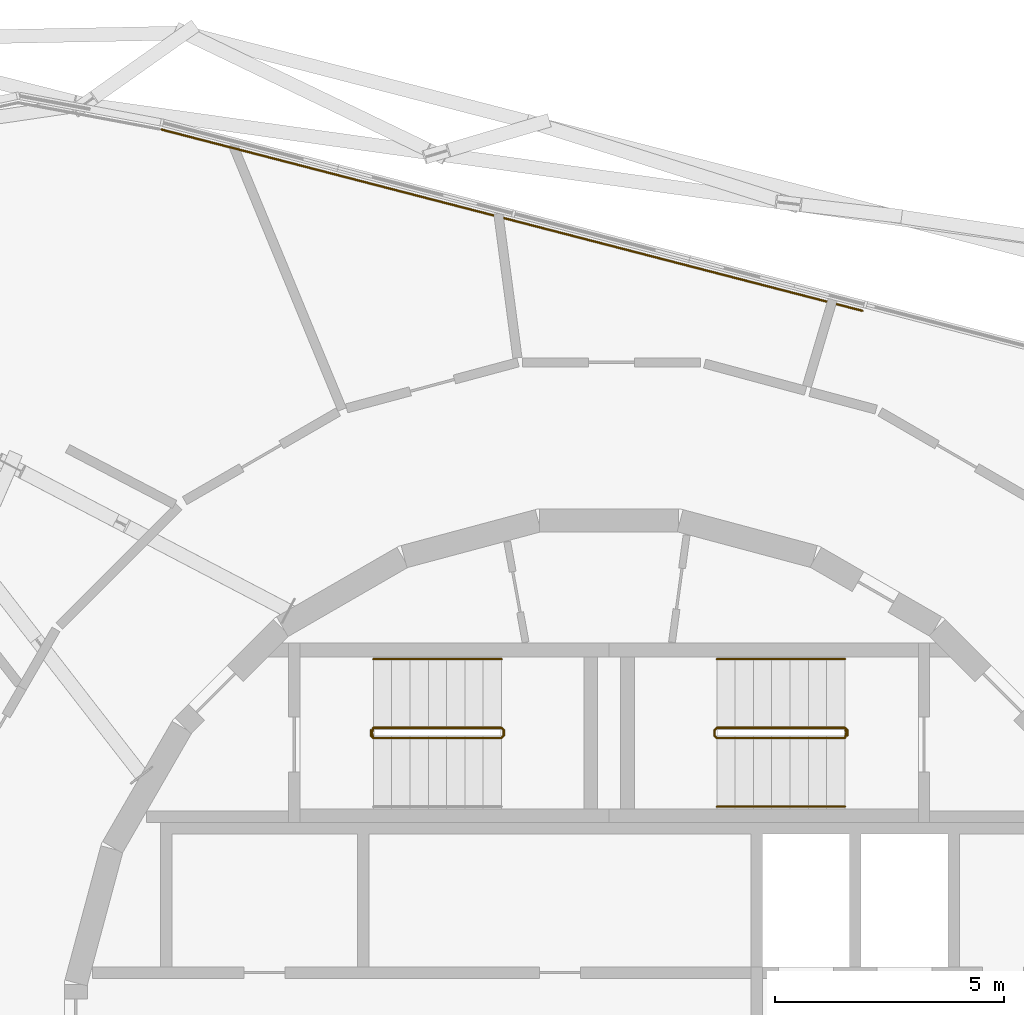
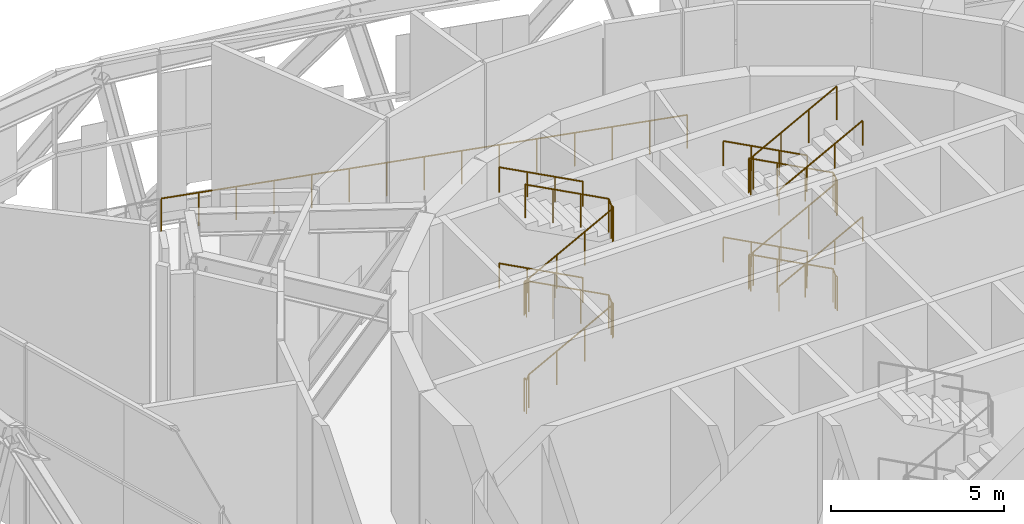
# One storey, part 23 of 23: 9 railings.
"""IFC4 building model written with IfcOpenShell, lengths in metres."""

import ifcopenshell
import ifcopenshell.guid

model = None  # the IFC model being written
_history = None  # IfcOwnerHistory: only IFC2X3 demands one
_inside = {}  # id of a spatial element -> (the spatial element, [elements in it])
_under = {}  # id of a project, library or spatial element -> (it, [spatial elements below it])
_declared = {}  # id of a project -> (the project, [libraries it declares])
_typed = {}  # id of a type object -> (the type object, [elements of that type])
_made_of = {}  # id of a material, layer set ... -> (it, [elements and type objects made of it])


def new_model(schema):
    """Start an empty IFC model of exactly this schema.

    Asked for "IFC4X3", IfcOpenShell would pick the latest addendum, in which some entities
    have other attributes; the version numbers below select the first issue.
    IFC2X3 requires an IfcOwnerHistory on every rooted entity: one is made here for all.
    """
    global model, _history
    if schema == "IFC4X3":
        model = ifcopenshell.file(schema_version=(4, 3, 0, 0))
    else:
        model = ifcopenshell.file(schema=schema)
    _inside.clear()
    _under.clear()
    _declared.clear()
    _typed.clear()
    _made_of.clear()
    _history = None
    if model.schema == "IFC2X3":
        org = make("IfcOrganization", Name="unknown")
        user = make(
            "IfcPersonAndOrganization",
            ThePerson=make("IfcPerson", FamilyName="unknown"),
            TheOrganization=org,
        )
        app = make(
            "IfcApplication",
            ApplicationDeveloper=org,
            Version="unknown",
            ApplicationFullName="unknown",
            ApplicationIdentifier="unknown",
        )
        _history = make(
            "IfcOwnerHistory",
            OwningUser=user,
            OwningApplication=app,
            ChangeAction="ADDED",
            CreationDate=0,
        )
    return model


def make(cls, **values):
    """One entity of the class cls with the attributes given. An attribute that is None is left unset."""
    return model.create_entity(
        cls, **{name: value for name, value in values.items() if value is not None}
    )


def rooted(cls, **values):
    """An entity with a GlobalId (a new one), such as an element, a storey or a relation."""
    return make(cls, GlobalId=ifcopenshell.guid.new(), OwnerHistory=_history, **values)


def si_unit(unit_type, name, prefix=None):
    """IfcSIUnit, for example si_unit("LENGTHUNIT", "METRE", prefix="MILLI")."""
    return make("IfcSIUnit", UnitType=unit_type, Prefix=prefix, Name=name)


def assignment(units):
    """IfcUnitAssignment: the units of a project."""
    return None if units is None else make("IfcUnitAssignment", Units=units)


def point(xyz):
    """IfcCartesianPoint."""
    return None if xyz is None else make("IfcCartesianPoint", Coordinates=xyz)


def direction(xyz):
    """IfcDirection."""
    return None if xyz is None else make("IfcDirection", DirectionRatios=xyz)


def frame(location, z_axis=None, x_axis=None):
    """IfcAxis2Placement3D, a coordinate frame: its origin and axes. An axis left out is left unset."""
    return make(
        "IfcAxis2Placement3D",
        Location=point(location),
        Axis=direction(z_axis),
        RefDirection=direction(x_axis),
    )


def frame_2d(location, x_axis=None):
    """IfcAxis2Placement2D, a coordinate frame in the plane: its origin and x axis."""
    return make(
        "IfcAxis2Placement2D", Location=point(location), RefDirection=direction(x_axis)
    )


def origin():
    """The frame at (0, 0, 0) with its axes left unset."""
    return frame((0.0, 0.0, 0.0))


def origin_2d():
    """The frame at (0, 0) in the plane with its x axis left unset."""
    return frame_2d((0.0, 0.0))


def place(relative_to, where):
    """IfcLocalPlacement: puts the frame where relative to a parent placement (None: the world)."""
    return make(
        "IfcLocalPlacement", PlacementRelTo=relative_to, RelativePlacement=where
    )


def context(
    kind, dimensions, precision=None, world=None, true_north=None, identifier=None
):
    """IfcGeometricRepresentationContext, for example the 3D "Model" context."""
    return make(
        "IfcGeometricRepresentationContext",
        ContextIdentifier=identifier,
        ContextType=kind,
        CoordinateSpaceDimension=dimensions,
        Precision=precision,
        WorldCoordinateSystem=world,
        TrueNorth=true_north,
    )


def subcontext(parent, identifier, kind, view, scale=None):
    """IfcGeometricRepresentationSubContext, for example "Body" below "Model"."""
    return make(
        "IfcGeometricRepresentationSubContext",
        ContextIdentifier=identifier,
        ContextType=kind,
        ParentContext=parent,
        TargetScale=scale,
        TargetView=view,
    )


def project(units=None, contexts=None):
    """IfcProject with its units and contexts."""
    return rooted(
        "IfcProject",
        Name="project",
        RepresentationContexts=contexts,
        UnitsInContext=assignment(units),
    )


def spatial(cls, under=None, at=None, **own):
    """A site, building, storey or space (cls), placed at a placement, below another one or the project."""
    s = rooted(cls, ObjectPlacement=at, **own)
    if under is not None:
        _under.setdefault(under.id(), (under, []))[1].append(s)
    return s


def profile(cls, at=None, kind="AREA", **sizes):
    """A parametric profile (cls). Its sizes go by their IFC names, for example OverallWidth=200.0."""
    return make(cls, ProfileType=kind, Position=at, **sizes)


def circle(**sizes):
    """IfcCircleProfileDef."""
    return profile("IfcCircleProfileDef", **sizes)


def extrude(swept, where, along, depth):
    """IfcExtrudedAreaSolid: the profile swept, set in the frame where, extruded along a direction by depth."""
    return make(
        "IfcExtrudedAreaSolid",
        SweptArea=swept,
        Position=where,
        ExtrudedDirection=direction(along),
        Depth=depth,
    )


def shape(context_of_items, identifier, shape_type, items):
    """IfcShapeRepresentation: the items that make up one representation, for example the "Body"."""
    return make(
        "IfcShapeRepresentation",
        ContextOfItems=context_of_items,
        RepresentationIdentifier=identifier,
        RepresentationType=shape_type,
        Items=items,
    )


def material(Name=None, Category=None):
    """IfcMaterial."""
    return make("IfcMaterial", Name=Name, Category=Category)


def made_of(thing, what):
    """Note that an element or type object is made of a material, layer set ...; save() writes the relation."""
    if what is not None:
        _made_of.setdefault(what.id(), (what, []))[1].append(thing)
    return thing


def type_object(cls, material=None, **own):
    """A type object (cls), such as IfcWallType, which elements share."""
    return made_of(rooted(cls, **own), material)


def element(
    cls,
    number,
    at=None,
    inside=None,
    cuts=None,
    type_object=None,
    material=None,
    context=None,
    identifier="Body",
    shape_type=None,
    held_by="IfcProductDefinitionShape",
    body=None,
    shapes=None,
    **own,
):
    """One element of the class cls, such as IfcWall. Its Tag is "e" and its number.

    at: its placement. inside: the storey or other place that contains it. cuts: it is an
    opening in that element (IfcRelVoidsElement). A single representation is given by context,
    identifier, shape_type and body (its items); several are given by shapes. held_by: the class
    of the entity that holds the representations. save() writes the other relations.
    """
    e = rooted(cls, Tag="e%d" % number, ObjectPlacement=at, **own)
    if body is not None:
        shapes = [shape(context, identifier, shape_type, body)]
    if shapes is not None:
        e.Representation = make(held_by, Representations=shapes)
    if inside is not None:
        _inside.setdefault(inside.id(), (inside, []))[1].append(e)
    if cuts is not None:
        rooted(
            "IfcRelVoidsElement", RelatingBuildingElement=cuts, RelatedOpeningElement=e
        )
    if type_object is not None:
        _typed.setdefault(type_object.id(), (type_object, []))[1].append(e)
    return made_of(e, material)


def aggregate(whole, parts):
    """IfcRelAggregates: a whole, such as a stair, and the parts it consists of."""
    return rooted("IfcRelAggregates", RelatingObject=whole, RelatedObjects=parts)


def save(model, path):
    """Write the relations noted so far, then the file.

    IfcRelAggregates (storeys below a building ...), IfcRelContainedInSpatialStructure (elements
    in a storey), IfcRelDefinesByType, IfcRelAssociatesMaterial and IfcRelDeclares: one each for
    every whole, place, type object, material and project.
    """
    for whole, parts in _under.values():
        aggregate(whole, parts)
    for where, things in _inside.values():
        rooted(
            "IfcRelContainedInSpatialStructure",
            RelatedElements=things,
            RelatingStructure=where,
        )
    for kind, things in _typed.values():
        rooted("IfcRelDefinesByType", RelatedObjects=things, RelatingType=kind)
    for what, things in _made_of.values():
        rooted("IfcRelAssociatesMaterial", RelatedObjects=things, RelatingMaterial=what)
    for by, libraries in _declared.values():
        rooted("IfcRelDeclares", RelatingContext=by, RelatedDefinitions=libraries)
    model.write(path)


model = new_model("IFC4")

# Units and contexts
model_context = context("Model", 3, precision=1e-05, world=origin(), true_north=direction((0.0, 1.0)))
body_context = subcontext(model_context, "Body", "Model", "MODEL_VIEW")
ifc_project = project(units=[si_unit("LENGTHUNIT", "METRE"), si_unit("AREAUNIT", "SQUARE_METRE"), si_unit("VOLUMEUNIT", "CUBIC_METRE"), si_unit("PLANEANGLEUNIT", "RADIAN"), si_unit("MASSUNIT", "GRAM", prefix="KILO")], contexts=[model_context])

# Site, building, storey
site_placement = place(None, origin())
site = spatial("IfcSite", under=ifc_project, at=site_placement, CompositionType="ELEMENT")
building_placement = place(site_placement, origin())
building = spatial("IfcBuilding", under=site, at=building_placement, Name="Spindle Arch Residences", CompositionType="ELEMENT")
storey_placement = place(building_placement, frame((0.0, 0.0, 326.199951171875)))
storey = spatial("IfcBuildingStorey", under=building, at=storey_placement, Name="L84", CompositionType="ELEMENT", Elevation=326.199951171875)

# Railings
ifc_material_1 = material(Name="Bronze anodised aluminium guard with glass infill", Category="aluminium")
railing_type_1 = type_object("IfcRailingType", Name="Facade guard 1200", PredefinedType="GUARDRAIL", material=ifc_material_1)
railing_1_placement = place(storey_placement, frame((5.531494140625, 16.2265625, 0.0)))
element("IfcRailing", 1, at=railing_1_placement, inside=storey, type_object=railing_type_1, Name="Facade guard L84 2", PredefinedType="GUARDRAIL", context=body_context, shape_type="SweptSolid", body=[
    extrude(circle(Radius=0.02392578125, at=origin_2d()), frame((0.0, 0.0, 1.17578125), z_axis=(-0.968148718669, 0.250375834575, 0.0), x_axis=(-0.250375834575, -0.968148718669, 0.0)), (0.0, 0.0, 1.0), 15.810302734375),
    extrude(circle(Radius=0.02099609375, at=origin_2d()), origin(), (0.0, 0.0, 1.0), 1.15185546875),
    extrude(circle(Radius=0.02099609375, at=origin_2d()), frame((-1.09326171875, 0.28271484375, 0.0)), (0.0, 0.0, 1.0), 1.15185546875),
    extrude(circle(Radius=0.02099609375, at=origin_2d()), frame((-2.186767578125, 0.5654296875, 0.0)), (0.0, 0.0, 1.0), 1.15185546875),
    extrude(circle(Radius=0.02099609375, at=origin_2d()), frame((-3.280029296875, 0.84814453125, 0.0)), (0.0, 0.0, 1.0), 1.15185546875),
    extrude(circle(Radius=0.02099609375, at=origin_2d()), frame((-4.373291015625, 1.131103515625, 0.0)), (0.0, 0.0, 1.0), 1.15185546875),
    extrude(circle(Radius=0.02099609375, at=origin_2d()), frame((-5.466552734375, 1.413818359375, 0.0)), (0.0, 0.0, 1.0), 1.15185546875),
    extrude(circle(Radius=0.02099609375, at=origin_2d()), frame((-6.56005859375, 1.696533203125, 0.0)), (0.0, 0.0, 1.0), 1.15185546875),
    extrude(circle(Radius=0.02099609375, at=origin_2d()), frame((-7.6533203125, 1.979248046875, 0.0)), (0.0, 0.0, 1.0), 1.15185546875),
    extrude(circle(Radius=0.02099609375, at=origin_2d()), frame((-8.74658203125, 2.261962890625, 0.0)), (0.0, 0.0, 1.0), 1.15185546875),
    extrude(circle(Radius=0.02099609375, at=origin_2d()), frame((-9.840087890625, 2.544677734375, 0.0)), (0.0, 0.0, 1.0), 1.15185546875),
    extrude(circle(Radius=0.02099609375, at=origin_2d()), frame((-10.933349609375, 2.827392578125, 0.0)), (0.0, 0.0, 1.0), 1.15185546875),
    extrude(circle(Radius=0.02099609375, at=origin_2d()), frame((-12.026611328125, 3.1103515625, 0.0)), (0.0, 0.0, 1.0), 1.15185546875),
    extrude(circle(Radius=0.02099609375, at=origin_2d()), frame((-13.119873046875, 3.39306640625, 0.0)), (0.0, 0.0, 1.0), 1.15185546875),
    extrude(circle(Radius=0.02099609375, at=origin_2d()), frame((-14.21337890625, 3.67578125, 0.0)), (0.0, 0.0, 1.0), 1.15185546875),
    extrude(circle(Radius=0.02099609375, at=origin_2d()), frame((-15.306640625, 3.95849609375, 0.0)), (0.0, 0.0, 1.0), 1.15185546875),
])
ifc_material_2 = material(Name="Steel, painted", Category="steel")
railing_type_2 = type_object("IfcRailingType", Name="Stair guard 1100", PredefinedType="GUARDRAIL", material=ifc_material_2)
railing_2_placement = place(storey_placement, frame((5.14990234375, 6.89990234375, 6.800048828125)))
element("IfcRailing", 2, at=railing_2_placement, inside=storey, type_object=railing_type_2, Name="L84 ST1 stair guard 1", PredefinedType="GUARDRAIL", context=body_context, shape_type="SweptSolid", body=[
    extrude(circle(Radius=0.02392578125, at=origin_2d()), frame((0.0, 0.0, 1.17578125), z_axis=(-0.883095778239, 0.0, -0.469192760447), x_axis=(0.0, -1.0, 0.0)), (0.0, 0.0, 1.0), 3.17041015625),
    extrude(circle(Radius=0.02392578125, at=origin_2d()), frame((-2.7998046875, 0.0, -0.3115234375), z_axis=(-0.223546962728, 0.223546962728, -0.948711500357), x_axis=(-0.707106781187, -0.707106781187, 0.0)), (0.0, 0.0, 1.0), 0.223876953125),
    extrude(circle(Radius=0.02392578125, at=origin_2d()), frame((-2.849853515625, 0.050048828125, -0.52392578125), z_axis=(0.0, 1.0, 0.0), x_axis=(-1.0, 0.0, 0.0)), (0.0, 0.0, 1.0), 0.1201171875),
    extrude(circle(Radius=0.02392578125, at=origin_2d()), frame((-2.849853515625, 0.170166015625, -0.52392578125), z_axis=(0.707106781187, 0.707106781187, 0.0), x_axis=(-0.707106781187, 0.707106781187, 0.0)), (0.0, 0.0, 1.0), 0.07080078125),
    extrude(circle(Radius=0.02392578125, at=origin_2d()), frame((-2.7998046875, 0.22021484375, -0.52392578125), z_axis=(0.883095778239, 0.0, -0.469192760447), x_axis=(0.0, 1.0, 0.0)), (0.0, 0.0, 1.0), 3.17041015625),
    extrude(circle(Radius=0.02392578125, at=origin_2d()), frame((0.0, 0.22021484375, -2.01171875), z_axis=(0.180861968005, -0.614930691216, -0.767560547142), x_axis=(0.959365501571, 0.282166323992, 0.0)), (0.0, 0.0, 1.0), 0.276611328125),
    extrude(circle(Radius=0.02392578125, at=origin_2d()), frame((0.050048828125, 0.050048828125, -2.22412109375), z_axis=(0.0, 1.0, 0.0), x_axis=(-1.0, 0.0, 0.0)), (0.0, 0.0, 1.0), 0.1201171875),
    extrude(circle(Radius=0.02392578125, at=origin_2d()), frame((0.050048828125, 0.170166015625, -2.22412109375), z_axis=(-0.282166323992, -0.959365501571, 0.0), x_axis=(0.959365501571, -0.282166323992, 0.0)), (0.0, 0.0, 1.0), 0.177490234375),
    extrude(circle(Radius=0.02392578125, at=origin_2d()), frame((0.0, 0.0, -2.22412109375), z_axis=(-0.883095778239, 0.0, -0.469192760447), x_axis=(0.0, -1.0, 0.0)), (0.0, 0.0, 1.0), 3.17041015625),
    extrude(circle(Radius=0.02392578125, at=origin_2d()), frame((-2.7998046875, 0.0, -3.71142578125), z_axis=(-0.223315919267, 0.223315919267, -0.9488203204), x_axis=(-0.707106781187, -0.707106781187, 0.0)), (0.0, 0.0, 1.0), 0.22412109375),
    extrude(circle(Radius=0.02392578125, at=origin_2d()), frame((-2.849853515625, 0.050048828125, -3.92431640625), z_axis=(0.0, 1.0, 0.0), x_axis=(-1.0, 0.0, 0.0)), (0.0, 0.0, 1.0), 0.1201171875),
    extrude(circle(Radius=0.02392578125, at=origin_2d()), frame((-2.849853515625, 0.170166015625, -3.92431640625), z_axis=(0.707106781187, 0.707106781187, 0.0), x_axis=(-0.707106781187, 0.707106781187, 0.0)), (0.0, 0.0, 1.0), 0.07080078125),
    extrude(circle(Radius=0.02392578125, at=origin_2d()), frame((-2.7998046875, 0.22021484375, -3.92431640625), z_axis=(0.883127683855, 0.0, -0.46913270405), x_axis=(0.0, 1.0, 0.0)), (0.0, 0.0, 1.0), 3.17041015625),
    extrude(circle(Radius=0.02392578125, at=origin_2d()), frame((0.0, 0.22021484375, -5.41162109375), z_axis=(0.223315919267, -0.223315919267, -0.9488203204), x_axis=(0.707106781187, 0.707106781187, 0.0)), (0.0, 0.0, 1.0), 0.22412109375),
    extrude(circle(Radius=0.02392578125, at=origin_2d()), frame((0.050048828125, 0.170166015625, -5.6240234375), z_axis=(0.0, -1.0, 0.0), x_axis=(1.0, 0.0, 0.0)), (0.0, 0.0, 1.0), 0.1201171875),
    extrude(circle(Radius=0.02099609375, at=origin_2d()), origin(), (0.0, 0.0, 1.0), 1.15185546875),
    extrude(circle(Radius=0.02099609375, at=origin_2d()), frame((-0.933349609375, 0.0, -0.495849609375)), (0.0, 0.0, 1.0), 1.15185546875),
    extrude(circle(Radius=0.02099609375, at=origin_2d()), frame((-1.866455078125, 0.0, -0.99169921875)), (0.0, 0.0, 1.0), 1.15185546875),
    extrude(circle(Radius=0.02099609375, at=origin_2d()), frame((-2.7998046875, 0.0, -1.487548828125)), (0.0, 0.0, 1.0), 1.15185546875),
    extrude(circle(Radius=0.02099609375, at=origin_2d()), frame((-2.849853515625, 0.050048828125, -1.699951171875)), (0.0, 0.0, 1.0), 1.15185546875),
    extrude(circle(Radius=0.02099609375, at=origin_2d()), frame((-2.849853515625, 0.170166015625, -1.699951171875)), (0.0, 0.0, 1.0), 1.15185546875),
    extrude(circle(Radius=0.02099609375, at=origin_2d()), frame((-2.7998046875, 0.22021484375, -1.699951171875)), (0.0, 0.0, 1.0), 1.15185546875),
    extrude(circle(Radius=0.02099609375, at=origin_2d()), frame((-1.866455078125, 0.22021484375, -2.19580078125)), (0.0, 0.0, 1.0), 1.15185546875),
    extrude(circle(Radius=0.02099609375, at=origin_2d()), frame((-0.933349609375, 0.22021484375, -2.691650390625)), (0.0, 0.0, 1.0), 1.15185546875),
    extrude(circle(Radius=0.02099609375, at=origin_2d()), frame((0.0, 0.22021484375, -3.1875)), (0.0, 0.0, 1.0), 1.15185546875),
    extrude(circle(Radius=0.02099609375, at=origin_2d()), frame((0.050048828125, 0.050048828125, -3.39990234375)), (0.0, 0.0, 1.0), 1.15185546875),
    extrude(circle(Radius=0.02099609375, at=origin_2d()), frame((0.050048828125, 0.170166015625, -3.39990234375)), (0.0, 0.0, 1.0), 1.15185546875),
    extrude(circle(Radius=0.02099609375, at=origin_2d()), frame((0.0, 0.0, -3.39990234375)), (0.0, 0.0, 1.0), 1.15185546875),
    extrude(circle(Radius=0.02099609375, at=origin_2d()), frame((-0.933349609375, 0.0, -3.895751953125)), (0.0, 0.0, 1.0), 1.15185546875),
    extrude(circle(Radius=0.02099609375, at=origin_2d()), frame((-1.866455078125, 0.0, -4.3916015625)), (0.0, 0.0, 1.0), 1.15185546875),
    extrude(circle(Radius=0.02099609375, at=origin_2d()), frame((-2.7998046875, 0.0, -4.887451171875)), (0.0, 0.0, 1.0), 1.15185546875),
    extrude(circle(Radius=0.02099609375, at=origin_2d()), frame((-2.849853515625, 0.050048828125, -5.10009765625)), (0.0, 0.0, 1.0), 1.15185546875),
    extrude(circle(Radius=0.02099609375, at=origin_2d()), frame((-2.849853515625, 0.170166015625, -5.10009765625)), (0.0, 0.0, 1.0), 1.15185546875),
    extrude(circle(Radius=0.02099609375, at=origin_2d()), frame((-2.7998046875, 0.22021484375, -5.10009765625)), (0.0, 0.0, 1.0), 1.15185546875),
    extrude(circle(Radius=0.02099609375, at=origin_2d()), frame((-1.866455078125, 0.22021484375, -5.595947265625)), (0.0, 0.0, 1.0), 1.15185546875),
    extrude(circle(Radius=0.02099609375, at=origin_2d()), frame((-0.933349609375, 0.22021484375, -6.091552734375)), (0.0, 0.0, 1.0), 1.15185546875),
    extrude(circle(Radius=0.02099609375, at=origin_2d()), frame((0.0, 0.22021484375, -6.58740234375)), (0.0, 0.0, 1.0), 1.15185546875),
    extrude(circle(Radius=0.02099609375, at=origin_2d()), frame((0.050048828125, 0.170166015625, -6.800048828125)), (0.0, 0.0, 1.0), 1.15185546875),
    extrude(circle(Radius=0.02099609375, at=origin_2d()), frame((0.050048828125, 0.050048828125, -6.800048828125)), (0.0, 0.0, 1.0), 1.15185546875),
])
railing_3_placement = place(storey_placement, frame((-5.14990234375, 7.1201171875, 6.800048828125)))
element("IfcRailing", 3, at=railing_3_placement, inside=storey, type_object=railing_type_2, Name="L84 ST2 stair guard 1", PredefinedType="GUARDRAIL", context=body_context, shape_type="SweptSolid", body=[
    extrude(circle(Radius=0.02392578125, at=origin_2d()), frame((0.0, 0.0, 1.17578125), z_axis=(0.883095778239, 0.0, -0.469192760447), x_axis=(0.0, 1.0, 0.0)), (0.0, 0.0, 1.0), 3.17041015625),
    extrude(circle(Radius=0.02392578125, at=origin_2d()), frame((2.7998046875, 0.0, -0.3115234375), z_axis=(0.223546962728, -0.223546962728, -0.948711500357), x_axis=(0.707106781187, 0.707106781187, 0.0)), (0.0, 0.0, 1.0), 0.223876953125),
    extrude(circle(Radius=0.02392578125, at=origin_2d()), frame((2.849853515625, -0.050048828125, -0.52392578125), z_axis=(0.0, -1.0, 0.0), x_axis=(1.0, 0.0, 0.0)), (0.0, 0.0, 1.0), 0.1201171875),
    extrude(circle(Radius=0.02392578125, at=origin_2d()), frame((2.849853515625, -0.170166015625, -0.52392578125), z_axis=(-0.707106781187, -0.707106781187, 0.0), x_axis=(0.707106781187, -0.707106781187, 0.0)), (0.0, 0.0, 1.0), 0.07080078125),
    extrude(circle(Radius=0.02392578125, at=origin_2d()), frame((2.7998046875, -0.22021484375, -0.52392578125), z_axis=(-0.883095778239, 0.0, -0.469192760447), x_axis=(0.0, -1.0, 0.0)), (0.0, 0.0, 1.0), 3.17041015625),
    extrude(circle(Radius=0.02392578125, at=origin_2d()), frame((0.0, -0.22021484375, -2.01171875), z_axis=(-0.180861968005, 0.614930691216, -0.767560547142), x_axis=(-0.959365501571, -0.282166323992, 0.0)), (0.0, 0.0, 1.0), 0.276611328125),
    extrude(circle(Radius=0.02392578125, at=origin_2d()), frame((-0.050048828125, -0.050048828125, -2.22412109375), z_axis=(0.0, -1.0, 0.0), x_axis=(1.0, 0.0, 0.0)), (0.0, 0.0, 1.0), 0.1201171875),
    extrude(circle(Radius=0.02392578125, at=origin_2d()), frame((-0.050048828125, -0.170166015625, -2.22412109375), z_axis=(0.282166323992, 0.959365501571, 0.0), x_axis=(-0.959365501571, 0.282166323992, 0.0)), (0.0, 0.0, 1.0), 0.177490234375),
    extrude(circle(Radius=0.02392578125, at=origin_2d()), frame((0.0, 0.0, -2.22412109375), z_axis=(0.883095778239, 0.0, -0.469192760447), x_axis=(0.0, 1.0, 0.0)), (0.0, 0.0, 1.0), 3.17041015625),
    extrude(circle(Radius=0.02392578125, at=origin_2d()), frame((2.7998046875, 0.0, -3.71142578125), z_axis=(0.223315919267, -0.223315919267, -0.9488203204), x_axis=(0.707106781187, 0.707106781187, 0.0)), (0.0, 0.0, 1.0), 0.22412109375),
    extrude(circle(Radius=0.02392578125, at=origin_2d()), frame((2.849853515625, -0.050048828125, -3.92431640625), z_axis=(0.0, -1.0, 0.0), x_axis=(1.0, 0.0, 0.0)), (0.0, 0.0, 1.0), 0.1201171875),
    extrude(circle(Radius=0.02392578125, at=origin_2d()), frame((2.849853515625, -0.170166015625, -3.92431640625), z_axis=(-0.707106781187, -0.707106781187, 0.0), x_axis=(0.707106781187, -0.707106781187, 0.0)), (0.0, 0.0, 1.0), 0.07080078125),
    extrude(circle(Radius=0.02392578125, at=origin_2d()), frame((2.7998046875, -0.22021484375, -3.92431640625), z_axis=(-0.883127683855, 0.0, -0.46913270405), x_axis=(0.0, -1.0, 0.0)), (0.0, 0.0, 1.0), 3.17041015625),
    extrude(circle(Radius=0.02392578125, at=origin_2d()), frame((0.0, -0.22021484375, -5.41162109375), z_axis=(-0.223315919267, 0.223315919267, -0.9488203204), x_axis=(-0.707106781187, -0.707106781187, 0.0)), (0.0, 0.0, 1.0), 0.22412109375),
    extrude(circle(Radius=0.02392578125, at=origin_2d()), frame((-0.050048828125, -0.170166015625, -5.6240234375), z_axis=(0.0, 1.0, 0.0), x_axis=(-1.0, 0.0, 0.0)), (0.0, 0.0, 1.0), 0.1201171875),
    extrude(circle(Radius=0.02099609375, at=origin_2d()), origin(), (0.0, 0.0, 1.0), 1.15185546875),
    extrude(circle(Radius=0.02099609375, at=origin_2d()), frame((0.933349609375, 0.0, -0.495849609375)), (0.0, 0.0, 1.0), 1.15185546875),
    extrude(circle(Radius=0.02099609375, at=origin_2d()), frame((1.866455078125, 0.0, -0.99169921875)), (0.0, 0.0, 1.0), 1.15185546875),
    extrude(circle(Radius=0.02099609375, at=origin_2d()), frame((2.7998046875, 0.0, -1.487548828125)), (0.0, 0.0, 1.0), 1.15185546875),
    extrude(circle(Radius=0.02099609375, at=origin_2d()), frame((2.849853515625, -0.050048828125, -1.699951171875)), (0.0, 0.0, 1.0), 1.15185546875),
    extrude(circle(Radius=0.02099609375, at=origin_2d()), frame((2.849853515625, -0.170166015625, -1.699951171875)), (0.0, 0.0, 1.0), 1.15185546875),
    extrude(circle(Radius=0.02099609375, at=origin_2d()), frame((2.7998046875, -0.22021484375, -1.699951171875)), (0.0, 0.0, 1.0), 1.15185546875),
    extrude(circle(Radius=0.02099609375, at=origin_2d()), frame((1.866455078125, -0.22021484375, -2.19580078125)), (0.0, 0.0, 1.0), 1.15185546875),
    extrude(circle(Radius=0.02099609375, at=origin_2d()), frame((0.933349609375, -0.22021484375, -2.691650390625)), (0.0, 0.0, 1.0), 1.15185546875),
    extrude(circle(Radius=0.02099609375, at=origin_2d()), frame((0.0, -0.22021484375, -3.1875)), (0.0, 0.0, 1.0), 1.15185546875),
    extrude(circle(Radius=0.02099609375, at=origin_2d()), frame((-0.050048828125, -0.050048828125, -3.39990234375)), (0.0, 0.0, 1.0), 1.15185546875),
    extrude(circle(Radius=0.02099609375, at=origin_2d()), frame((-0.050048828125, -0.170166015625, -3.39990234375)), (0.0, 0.0, 1.0), 1.15185546875),
    extrude(circle(Radius=0.02099609375, at=origin_2d()), frame((0.0, 0.0, -3.39990234375)), (0.0, 0.0, 1.0), 1.15185546875),
    extrude(circle(Radius=0.02099609375, at=origin_2d()), frame((0.933349609375, 0.0, -3.895751953125)), (0.0, 0.0, 1.0), 1.15185546875),
    extrude(circle(Radius=0.02099609375, at=origin_2d()), frame((1.866455078125, 0.0, -4.3916015625)), (0.0, 0.0, 1.0), 1.15185546875),
    extrude(circle(Radius=0.02099609375, at=origin_2d()), frame((2.7998046875, 0.0, -4.887451171875)), (0.0, 0.0, 1.0), 1.15185546875),
    extrude(circle(Radius=0.02099609375, at=origin_2d()), frame((2.849853515625, -0.050048828125, -5.10009765625)), (0.0, 0.0, 1.0), 1.15185546875),
    extrude(circle(Radius=0.02099609375, at=origin_2d()), frame((2.849853515625, -0.170166015625, -5.10009765625)), (0.0, 0.0, 1.0), 1.15185546875),
    extrude(circle(Radius=0.02099609375, at=origin_2d()), frame((2.7998046875, -0.22021484375, -5.10009765625)), (0.0, 0.0, 1.0), 1.15185546875),
    extrude(circle(Radius=0.02099609375, at=origin_2d()), frame((1.866455078125, -0.22021484375, -5.595947265625)), (0.0, 0.0, 1.0), 1.15185546875),
    extrude(circle(Radius=0.02099609375, at=origin_2d()), frame((0.933349609375, -0.22021484375, -6.091552734375)), (0.0, 0.0, 1.0), 1.15185546875),
    extrude(circle(Radius=0.02099609375, at=origin_2d()), frame((0.0, -0.22021484375, -6.58740234375)), (0.0, 0.0, 1.0), 1.15185546875),
    extrude(circle(Radius=0.02099609375, at=origin_2d()), frame((-0.050048828125, -0.170166015625, -6.800048828125)), (0.0, 0.0, 1.0), 1.15185546875),
    extrude(circle(Radius=0.02099609375, at=origin_2d()), frame((-0.050048828125, -0.050048828125, -6.800048828125)), (0.0, 0.0, 1.0), 1.15185546875),
])
ifc_material_3 = material(Name="Steel, painted", Category="steel")
railing_type_3 = type_object("IfcRailingType", Name="Stair handrail 900", PredefinedType="HANDRAIL", material=ifc_material_3)
railing_4_placement = place(storey_placement, frame((5.14990234375, 8.6201171875, 0.212646484375)))
element("IfcRailing", 4, at=railing_4_placement, inside=storey, type_object=railing_type_3, Name="L84 ST1 stair handrail 1", PredefinedType="HANDRAIL", context=body_context, shape_type="SweptSolid", body=[
    extrude(circle(Radius=0.02392578125, at=origin_2d()), frame((0.0, 0.0, 0.8759765625), z_axis=(-0.883127683855, 0.0, 0.46913270405), x_axis=(0.0, -1.0, 0.0)), (0.0, 0.0, 1.0), 3.17041015625),
    extrude(circle(Radius=0.02099609375, at=origin_2d()), origin(), (0.0, 0.0, 1.0), 0.851806640625),
    extrude(circle(Radius=0.02099609375, at=origin_2d()), frame((-0.933349609375, 0.0, 0.495849609375)), (0.0, 0.0, 1.0), 0.851806640625),
    extrude(circle(Radius=0.02099609375, at=origin_2d()), frame((-1.866455078125, 0.0, 0.991455078125)), (0.0, 0.0, 1.0), 0.851806640625),
    extrude(circle(Radius=0.02099609375, at=origin_2d()), frame((-2.7998046875, 0.0, 1.4873046875)), (0.0, 0.0, 1.0), 0.851806640625),
])
railing_5_placement = place(storey_placement, frame((2.35009765625, 5.39990234375, 1.91259765625)))
element("IfcRailing", 5, at=railing_5_placement, inside=storey, type_object=railing_type_3, Name="L84 ST1 stair handrail 2", PredefinedType="HANDRAIL", context=body_context, shape_type="SweptSolid", body=[
    extrude(circle(Radius=0.02392578125, at=origin_2d()), frame((0.0, 0.0, 0.8759765625), z_axis=(0.883095778239, 0.0, 0.469192760447), x_axis=(0.0, 1.0, 0.0)), (0.0, 0.0, 1.0), 3.17041015625),
    extrude(circle(Radius=0.02099609375, at=origin_2d()), origin(), (0.0, 0.0, 1.0), 0.851806640625),
    extrude(circle(Radius=0.02099609375, at=origin_2d()), frame((0.933349609375, 0.0, 0.495849609375)), (0.0, 0.0, 1.0), 0.851806640625),
    extrude(circle(Radius=0.02099609375, at=origin_2d()), frame((1.866455078125, 0.0, 0.99169921875)), (0.0, 0.0, 1.0), 0.851806640625),
    extrude(circle(Radius=0.02099609375, at=origin_2d()), frame((2.7998046875, 0.0, 1.487548828125)), (0.0, 0.0, 1.0), 0.851806640625),
])
railing_6_placement = place(storey_placement, frame((5.14990234375, 8.6201171875, 3.612548828125)))
element("IfcRailing", 6, at=railing_6_placement, inside=storey, type_object=railing_type_3, Name="L84 ST1 stair handrail 3", PredefinedType="HANDRAIL", context=body_context, shape_type="SweptSolid", body=[
    extrude(circle(Radius=0.02392578125, at=origin_2d()), frame((0.0, 0.0, 0.8759765625), z_axis=(-0.883095778239, 0.0, 0.469192760447), x_axis=(0.0, -1.0, 0.0)), (0.0, 0.0, 1.0), 3.17041015625),
    extrude(circle(Radius=0.02099609375, at=origin_2d()), origin(), (0.0, 0.0, 1.0), 0.851806640625),
    extrude(circle(Radius=0.02099609375, at=origin_2d()), frame((-0.933349609375, 0.0, 0.495849609375)), (0.0, 0.0, 1.0), 0.851806640625),
    extrude(circle(Radius=0.02099609375, at=origin_2d()), frame((-1.866455078125, 0.0, 0.99169921875)), (0.0, 0.0, 1.0), 0.851806640625),
    extrude(circle(Radius=0.02099609375, at=origin_2d()), frame((-2.7998046875, 0.0, 1.487548828125)), (0.0, 0.0, 1.0), 0.851806640625),
])
railing_7_placement = place(storey_placement, frame((2.35009765625, 5.39990234375, 5.3125)))
element("IfcRailing", 7, at=railing_7_placement, inside=storey, type_object=railing_type_3, Name="L84 ST1 stair handrail 4", PredefinedType="HANDRAIL", context=body_context, shape_type="SweptSolid", body=[
    extrude(circle(Radius=0.02392578125, at=origin_2d()), frame((0.0, 0.0, 0.8759765625), z_axis=(0.883095778239, 0.0, 0.469192760447), x_axis=(0.0, 1.0, 0.0)), (0.0, 0.0, 1.0), 3.17041015625),
    extrude(circle(Radius=0.02099609375, at=origin_2d()), origin(), (0.0, 0.0, 1.0), 0.851806640625),
    extrude(circle(Radius=0.02099609375, at=origin_2d()), frame((0.933349609375, 0.0, 0.495849609375)), (0.0, 0.0, 1.0), 0.851806640625),
    extrude(circle(Radius=0.02099609375, at=origin_2d()), frame((1.866455078125, 0.0, 0.99169921875)), (0.0, 0.0, 1.0), 0.851806640625),
    extrude(circle(Radius=0.02099609375, at=origin_2d()), frame((2.7998046875, 0.0, 1.487548828125)), (0.0, 0.0, 1.0), 0.851806640625),
])
for number, where, name in (
    (8, (-2.35009765625, 8.6201171875, 1.91259765625), "L84 ST2 stair handrail 2"),
    (9, (-2.35009765625, 8.6201171875, 5.3125), "L84 ST2 stair handrail 4"),
):
    element("IfcRailing", number, at=place(storey_placement, frame(where)), inside=storey, type_object=railing_type_3, Name=name, PredefinedType="HANDRAIL", context=body_context, shape_type="SweptSolid", body=[
        extrude(circle(Radius=0.02392578125, at=origin_2d()), frame((0.0, 0.0, 0.8759765625), z_axis=(-0.883095778239, 0.0, 0.469192760447), x_axis=(0.0, -1.0, 0.0)), (0.0, 0.0, 1.0), 3.17041015625),
        extrude(circle(Radius=0.02099609375, at=origin_2d()), origin(), (0.0, 0.0, 1.0), 0.851806640625),
        extrude(circle(Radius=0.02099609375, at=origin_2d()), frame((-0.933349609375, 0.0, 0.495849609375)), (0.0, 0.0, 1.0), 0.851806640625),
        extrude(circle(Radius=0.02099609375, at=origin_2d()), frame((-1.866455078125, 0.0, 0.99169921875)), (0.0, 0.0, 1.0), 0.851806640625),
        extrude(circle(Radius=0.02099609375, at=origin_2d()), frame((-2.7998046875, 0.0, 1.487548828125)), (0.0, 0.0, 1.0), 0.851806640625),
    ])

save(model, "model.ifc")
